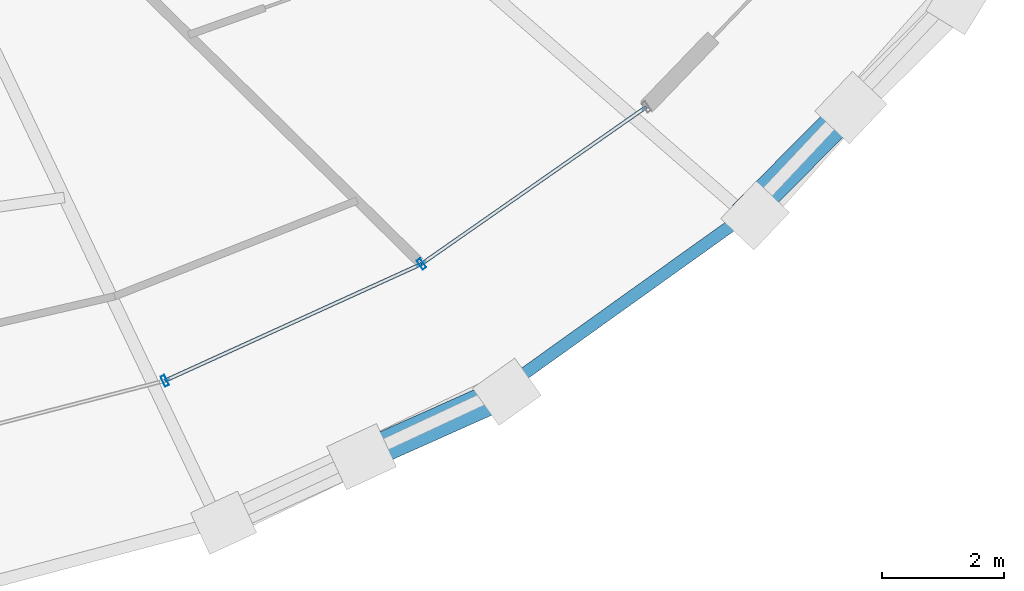
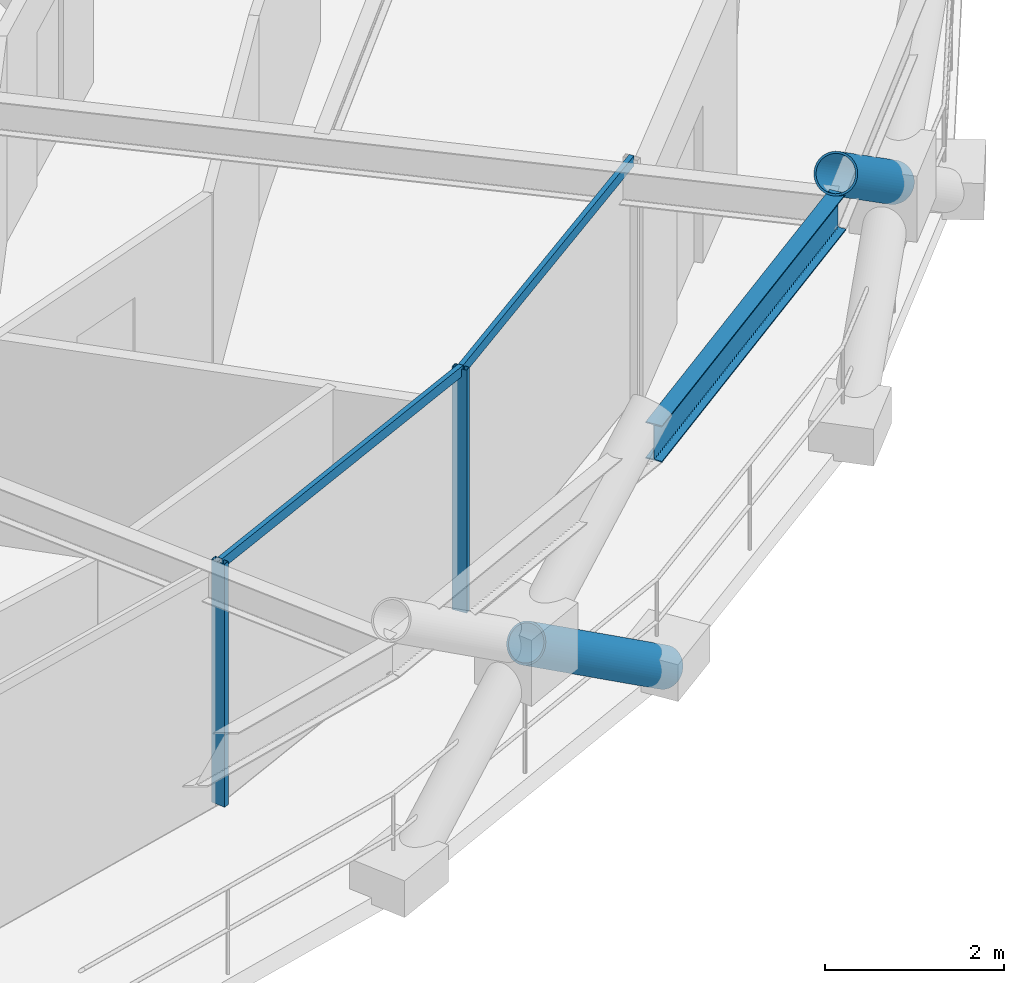
# One storey, part 4 of 16: 6 members, 1 beam, 1 element without a shape of its own.
"""IFC4 building model written with IfcOpenShell, lengths in metres."""

from ifc_helpers import new_model, si_unit, direction, frame, origin, origin_2d, place, context, subcontext, project, spatial, hollow_rectangle, hollow_circle, i_section, extrude, material, layer, layer_set, material_profile, profile_set, type_object, element, aggregate, save


model = new_model("IFC4")

# Units and contexts
model_context = context("Model", 3, precision=1e-05, world=origin(), true_north=direction((0.0, 1.0)))
body_context = subcontext(model_context, "Body", "Model", "MODEL_VIEW")
ifc_project = project(units=[si_unit("LENGTHUNIT", "METRE"), si_unit("AREAUNIT", "SQUARE_METRE"), si_unit("VOLUMEUNIT", "CUBIC_METRE"), si_unit("PLANEANGLEUNIT", "RADIAN"), si_unit("MASSUNIT", "GRAM", prefix="KILO")], contexts=[model_context])

# Site, building, storey
site_placement = place(None, origin())
site = spatial("IfcSite", under=ifc_project, at=site_placement, CompositionType="ELEMENT")
building_placement = place(site_placement, origin())
building = spatial("IfcBuilding", under=site, at=building_placement, Name="Veldorina Hangang Commons", CompositionType="ELEMENT")
storey_placement = place(building_placement, frame((0.0, 0.0, 192.800048828125)))
storey = spatial("IfcBuildingStorey", under=building, at=storey_placement, Name="L50", CompositionType="ELEMENT", Elevation=192.800048828125)

# Beam
ifc_material_1 = material(Name="Steel SM420-TMC", Category="steel")
ifc_material_profile_1 = material_profile(ifc_material_1, i_section(OverallWidth=0.199951171875, OverallDepth=0.5, WebThickness=0.010009765625, FlangeThickness=0.01611328125, FilletRadius=0.01611328125, at=origin_2d()), Name="H-500x200x10x16")
ifc_profile_set_1 = profile_set([ifc_material_profile_1], Name="Steel SM420-TMC")
beam_type = type_object("IfcBeamType", Name="BM-RB500", PredefinedType="BEAM", material=ifc_profile_set_1)
beam_placement = place(storey_placement, frame((46.803955078125, 4.685791015625, 3.099853515625), z_axis=(0.813281360242, 0.581870629164, 0.0), x_axis=(-0.581870629164, 0.813281360242, 0.0)))
element("IfcBeam", 1, at=beam_placement, inside=storey, type_object=beam_type, Name="L50 perimeter hoop ring beam 27", PredefinedType="BEAM", context=body_context, shape_type="SweptSolid", body=[
    extrude(i_section(OverallWidth=0.199951171875, OverallDepth=0.5, WebThickness=0.010009765625, FlangeThickness=0.01611328125, FilletRadius=0.01611328125, at=origin_2d()), origin(), (0.0, 0.0, 1.0), 4.96484375),
])

# Curtain wall, members
ifc_material_2 = material(Name="Glass Low-E Triple IGU", Category="glass")
ifc_layer = layer(ifc_material_2, 0.179931640625)
ifc_layer_set = layer_set([ifc_layer], Name="Glass Low-E Triple IGU")
curtain_wall_type = type_object("IfcCurtainWallType", Name="CW-SYS-Z2", PredefinedType="NOTDEFINED", material=ifc_layer_set)
curtain_wall_placement = place(storey_placement, origin())
curtain_wall = element("IfcCurtainWall", 2, at=curtain_wall_placement, inside=storey, type_object=curtain_wall_type, Name="L50 unitised curtain wall CW-L50-R1", PredefinedType="NOTDEFINED")
ifc_material_3 = material(Name="Aluminium Anodized AA6063-T6", Category="aluminium")
ifc_material_profile_2 = material_profile(ifc_material_3, hollow_rectangle(XDim=0.070068359375, YDim=0.179931640625, WallThickness=0.00390625, at=origin_2d()), Name="ALU-RHS-180x70x4")
ifc_profile_set_2 = profile_set([ifc_material_profile_2], Name="Aluminium Anodized AA6063-T6")
member_type_1 = type_object("IfcMemberType", Name="CW-MUL-180", PredefinedType="MULLION", material=ifc_profile_set_2)
member_1_placement = place(storey_placement, frame((41.314453125, 4.85791015625, 0.0), z_axis=(0.0, 0.0, 1.0), x_axis=(0.910214422768, 0.41413730161, 0.0)))
member_1 = element("IfcMember", 3, at=member_1_placement, type_object=member_type_1, Name="CW-L50-R1 vertical mullion 2", PredefinedType="MULLION", context=body_context, shape_type="SweptSolid", body=[
    extrude(hollow_rectangle(XDim=0.070068359375, YDim=0.179931640625, WallThickness=0.00390625, at=origin_2d()), origin(), (0.0, 0.0, 1.0), 3.31005859375),
])
member_2_placement = place(storey_placement, frame((45.522705078125, 6.7724609375, 0.0), z_axis=(0.0, 0.0, 1.0), x_axis=(0.819762238564, 0.572704000532, 0.0)))
member_2 = element("IfcMember", 4, at=member_2_placement, type_object=member_type_1, Name="CW-L50-R1 vertical mullion 3", PredefinedType="MULLION", context=body_context, shape_type="SweptSolid", body=[
    extrude(hollow_rectangle(XDim=0.070068359375, YDim=0.179931640625, WallThickness=0.00390625, at=origin_2d()), origin(), (0.0, 0.0, 1.0), 3.31005859375),
])
ifc_material_profile_3 = material_profile(ifc_material_3, hollow_rectangle(XDim=0.06005859375, YDim=0.139892578125, WallThickness=0.00341796875, at=origin_2d()), Name="ALU-RHS-140x60x3.5")
ifc_profile_set_3 = profile_set([ifc_material_profile_3], Name="Aluminium Anodized AA6063-T6")
member_type_2 = type_object("IfcMemberType", Name="CW-TRN-140", PredefinedType="USERDEFINED", material=ifc_profile_set_3)
member_3_placement = place(storey_placement, frame((41.314453125, 4.85791015625, 3.27001953125), z_axis=(0.910227175665, 0.414109271426, 0.0), x_axis=(-0.414109271426, 0.910227175665, 0.0)))
member_3 = element("IfcMember", 5, at=member_3_placement, type_object=member_type_2, Name="CW-L50-R1 facet 3 transom 1", ObjectType="TRANSOM", PredefinedType="USERDEFINED", context=body_context, shape_type="SweptSolid", body=[
    extrude(hollow_rectangle(XDim=0.06005859375, YDim=0.139892578125, WallThickness=0.00341796875, at=origin_2d()), origin(), (0.0, 0.0, 1.0), 4.623291015625),
])
member_4_placement = place(storey_placement, frame((45.522705078125, 6.7724609375, 3.27001953125), z_axis=(0.819764372632, 0.572700945837, 0.0), x_axis=(-0.572700945837, 0.819764372632, 0.0)))
member_4 = element("IfcMember", 6, at=member_4_placement, type_object=member_type_2, Name="CW-L50-R1 facet 4 transom 1", ObjectType="TRANSOM", PredefinedType="USERDEFINED", context=body_context, shape_type="SweptSolid", body=[
    extrude(hollow_rectangle(XDim=0.06005859375, YDim=0.139892578125, WallThickness=0.00341796875, at=origin_2d()), origin(), (0.0, 0.0, 1.0), 4.4990234375),
])
aggregate(curtain_wall, [member_1, member_2, member_3, member_4])

# Members
ifc_material_profile_4 = material_profile(ifc_material_1, hollow_circle(Radius=0.25, WallThickness=0.02490234375, at=origin_2d()), Name="CHS-500x25")
ifc_profile_set_4 = profile_set([ifc_material_profile_4], Name="Steel SM420-TMC")
member_type_3 = type_object("IfcMemberType", Name="DG-CHS500", PredefinedType="BRACE", material=ifc_profile_set_4)
member_5_placement = place(storey_placement, frame((46.922607421875, 4.677001953125, 0.0), z_axis=(-0.750575213976, -0.33540103853, 0.56933557022), x_axis=(0.407978232551, -0.912991654817, 0.0)))
element("IfcMember", 7, at=member_5_placement, inside=storey, type_object=member_type_3, Name="L50 split perimeter diagrid lower brace 27", PredefinedType="BRACE", context=body_context, shape_type="SweptSolid", body=[
    extrude(hollow_circle(Radius=0.25, WallThickness=0.02490234375, at=origin_2d()), origin(), (0.0, 0.0, 1.0), 3.173583984375),
])
member_6_placement = place(storey_placement, frame((52.563720703125, 9.335693359375, 1.80419921875), z_axis=(-0.570451830335, -0.574917830964, 0.586561332604), x_axis=(0.709858520486, -0.704344291446, 0.0)))
element("IfcMember", 8, at=member_6_placement, inside=storey, type_object=member_type_3, Name="L50 split perimeter diagrid upper brace 29", PredefinedType="BRACE", context=body_context, shape_type="SweptSolid", body=[
    extrude(hollow_circle(Radius=0.25, WallThickness=0.02490234375, at=origin_2d()), origin(), (0.0, 0.0, 1.0), 3.061279296875),
])

save(model, "model.ifc")
